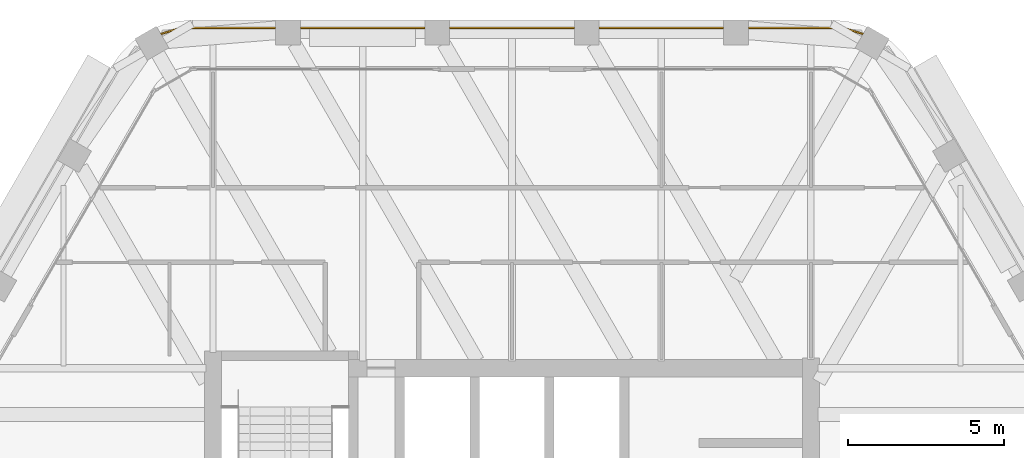
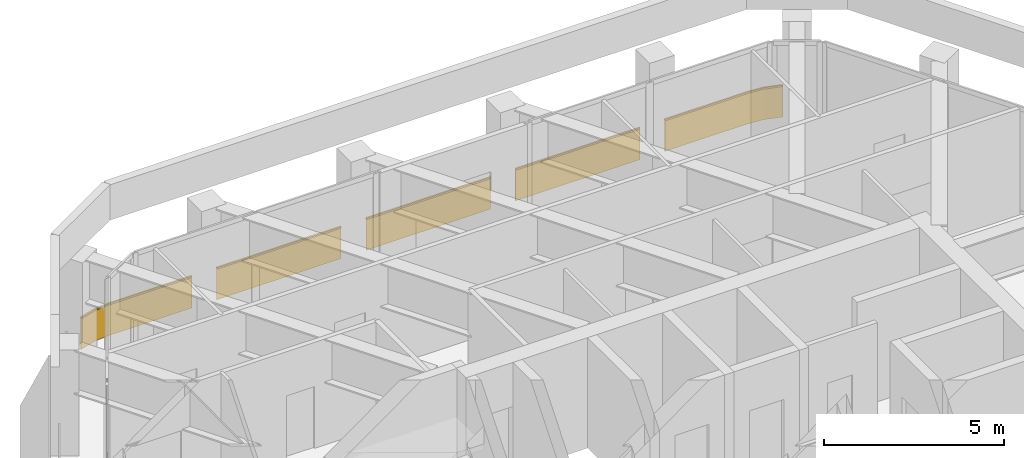
# One storey, part 14 of 14: 1 railing.
"""IFC4 building model written with IfcOpenShell, lengths in metres."""

from ifc_helpers import new_model, si_unit, direction, frame, frame_2d, origin, origin_2d, place, context, subcontext, project, spatial, rectangle, extrude, material, type_object, element, save


model = new_model("IFC4")

# Units and contexts
model_context = context("Model", 3, precision=1e-05, world=origin(), true_north=direction((0.0, 1.0)))
body_context = subcontext(model_context, "Body", "Model", "MODEL_VIEW")
ifc_project = project(units=[si_unit("LENGTHUNIT", "METRE"), si_unit("AREAUNIT", "SQUARE_METRE"), si_unit("VOLUMEUNIT", "CUBIC_METRE"), si_unit("PLANEANGLEUNIT", "RADIAN"), si_unit("MASSUNIT", "GRAM", prefix="KILO")], contexts=[model_context])

# Site, building, storey
site_placement = place(None, origin())
site = spatial("IfcSite", under=ifc_project, at=site_placement, CompositionType="ELEMENT")
building_placement = place(site_placement, origin())
building = spatial("IfcBuilding", under=site, at=building_placement, Name="Kolab Exchange Tower", CompositionType="ELEMENT")
storey_placement = place(building_placement, frame((0.0, 0.0, 293.0)))
storey = spatial("IfcBuildingStorey", under=building, at=storey_placement, Name="L66", CompositionType="ELEMENT", Elevation=293.0)

# Railing
ifc_material = material(Name="Steel S235", Category="steel")
railing_type = type_object("IfcRailingType", Name="GUARD 1100 GLASS BALUSTRADE AND STEEL TOP RAIL", PredefinedType="GUARDRAIL", material=ifc_material)
railing_placement = place(storey_placement, frame((11.280517578125, 20.335205078125, 0.0)))
element("IfcRailing", 1, at=railing_placement, inside=storey, type_object=railing_type, Name="Guard", PredefinedType="GUARDRAIL", context=body_context, shape_type="SweptSolid", body=[
    extrude(rectangle(XDim=0.05, YDim=0.05, at=origin_2d()), frame((0.0, 0.0, 1.0751953125), z_axis=(-0.959212061764, 0.282687496304, 0.0), x_axis=(-0.282687496304, -0.959212061764, 0.0)), (0.0, 0.0, 1.0), 0.557861328125),
    extrude(rectangle(XDim=0.012, YDim=1.05009765625, at=frame_2d((0.0, 0.525146484375))), frame((0.0, 0.0, 0.0), z_axis=(-0.959212061764, 0.282687496304, 0.0), x_axis=(-0.282687496304, -0.959212061764, 0.0)), (0.0, 0.0, 1.0), 0.557861328125),
    extrude(rectangle(XDim=0.05, YDim=0.05, at=origin_2d()), frame((-0.53515625, 0.15771484375, 1.0751953125), z_axis=(-0.996196482496, 0.087135344505, 0.0), x_axis=(-0.087135344505, -0.996196482496, 0.0)), (0.0, 0.0, 1.0), 0.47900390625),
    extrude(rectangle(XDim=0.012, YDim=1.05009765625, at=frame_2d((0.0, 0.525146484375))), frame((-0.53515625, 0.15771484375, 0.0), z_axis=(-0.996196482496, 0.087135344505, 0.0), x_axis=(-0.087135344505, -0.996196482496, 0.0)), (0.0, 0.0, 1.0), 0.47900390625),
    extrude(rectangle(XDim=0.05, YDim=0.05, at=origin_2d()), frame((-1.012451171875, 0.199462890625, 1.0751953125), z_axis=(-1.0, 0.0, 0.0), x_axis=(0.0, -1.0, 0.0)), (0.0, 0.0, 1.0), 2.66796875),
    extrude(rectangle(XDim=0.012, YDim=1.05009765625, at=frame_2d((0.0, 0.525146484375))), frame((-1.012451171875, 0.199462890625, 0.0), z_axis=(-1.0, 0.0, 0.0), x_axis=(0.0, -1.0, 0.0)), (0.0, 0.0, 1.0), 2.66796875),
    extrude(rectangle(XDim=0.05, YDim=0.05, at=origin_2d()), frame((-4.48046875, 0.199462890625, 1.0751953125), z_axis=(-1.0, 0.0, 0.0), x_axis=(0.0, -1.0, 0.0)), (0.0, 0.0, 1.0), 4.0),
    extrude(rectangle(XDim=0.012, YDim=1.05009765625, at=frame_2d((0.0, 0.525146484375))), frame((-4.48046875, 0.199462890625, 0.0), z_axis=(-1.0, 0.0, 0.0), x_axis=(0.0, -1.0, 0.0)), (0.0, 0.0, 1.0), 4.0),
    extrude(rectangle(XDim=0.05, YDim=0.05, at=origin_2d()), frame((-9.280517578125, 0.199462890625, 1.0751953125), z_axis=(-1.0, 0.0, 0.0), x_axis=(0.0, -1.0, 0.0)), (0.0, 0.0, 1.0), 4.0),
    extrude(rectangle(XDim=0.012, YDim=1.05009765625, at=frame_2d((0.0, 0.525146484375))), frame((-9.280517578125, 0.199462890625, 0.0), z_axis=(-1.0, 0.0, 0.0), x_axis=(0.0, -1.0, 0.0)), (0.0, 0.0, 1.0), 4.0),
    extrude(rectangle(XDim=0.05, YDim=0.05, at=origin_2d()), frame((-14.08056640625, 0.199462890625, 1.0751953125), z_axis=(-1.0, 0.0, 0.0), x_axis=(0.0, -1.0, 0.0)), (0.0, 0.0, 1.0), 4.0),
    extrude(rectangle(XDim=0.012, YDim=1.05009765625, at=frame_2d((0.0, 0.525146484375))), frame((-14.08056640625, 0.199462890625, 0.0), z_axis=(-1.0, 0.0, 0.0), x_axis=(0.0, -1.0, 0.0)), (0.0, 0.0, 1.0), 4.0),
    extrude(rectangle(XDim=0.05, YDim=0.05, at=origin_2d()), frame((-18.880615234375, 0.199462890625, 1.0751953125), z_axis=(-1.0, 0.0, 0.0), x_axis=(0.0, -1.0, 0.0)), (0.0, 0.0, 1.0), 2.66796875),
    extrude(rectangle(XDim=0.012, YDim=1.05009765625, at=frame_2d((0.0, 0.525146484375))), frame((-18.880615234375, 0.199462890625, 0.0), z_axis=(-1.0, 0.0, 0.0), x_axis=(0.0, -1.0, 0.0)), (0.0, 0.0, 1.0), 2.66796875),
    extrude(rectangle(XDim=0.05, YDim=0.05, at=origin_2d()), frame((-21.548583984375, 0.199462890625, 1.0751953125), z_axis=(-0.996196482496, -0.087135344505, 0.0), x_axis=(0.087135344505, -0.996196482496, 0.0)), (0.0, 0.0, 1.0), 0.47900390625),
    extrude(rectangle(XDim=0.012, YDim=1.05009765625, at=frame_2d((0.0, 0.525146484375))), frame((-21.548583984375, 0.199462890625, 0.0), z_axis=(-0.996196482496, -0.087135344505, 0.0), x_axis=(0.087135344505, -0.996196482496, 0.0)), (0.0, 0.0, 1.0), 0.47900390625),
    extrude(rectangle(XDim=0.05, YDim=0.05, at=origin_2d()), frame((-22.02587890625, 0.15771484375, 1.0751953125), z_axis=(-0.959212061764, -0.282687496304, 0.0), x_axis=(0.282687496304, -0.959212061764, 0.0)), (0.0, 0.0, 1.0), 0.557861328125),
    extrude(rectangle(XDim=0.012, YDim=1.05009765625, at=frame_2d((0.0, 0.525146484375))), frame((-22.02587890625, 0.15771484375, 0.0), z_axis=(-0.959212061764, -0.282687496304, 0.0), x_axis=(0.282687496304, -0.959212061764, 0.0)), (0.0, 0.0, 1.0), 0.557861328125),
])

save(model, "model.ifc")
